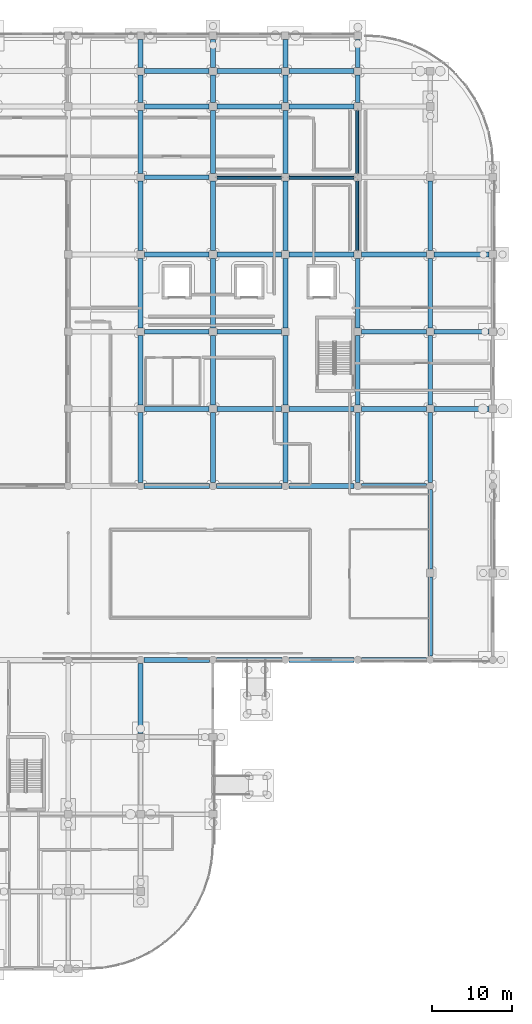
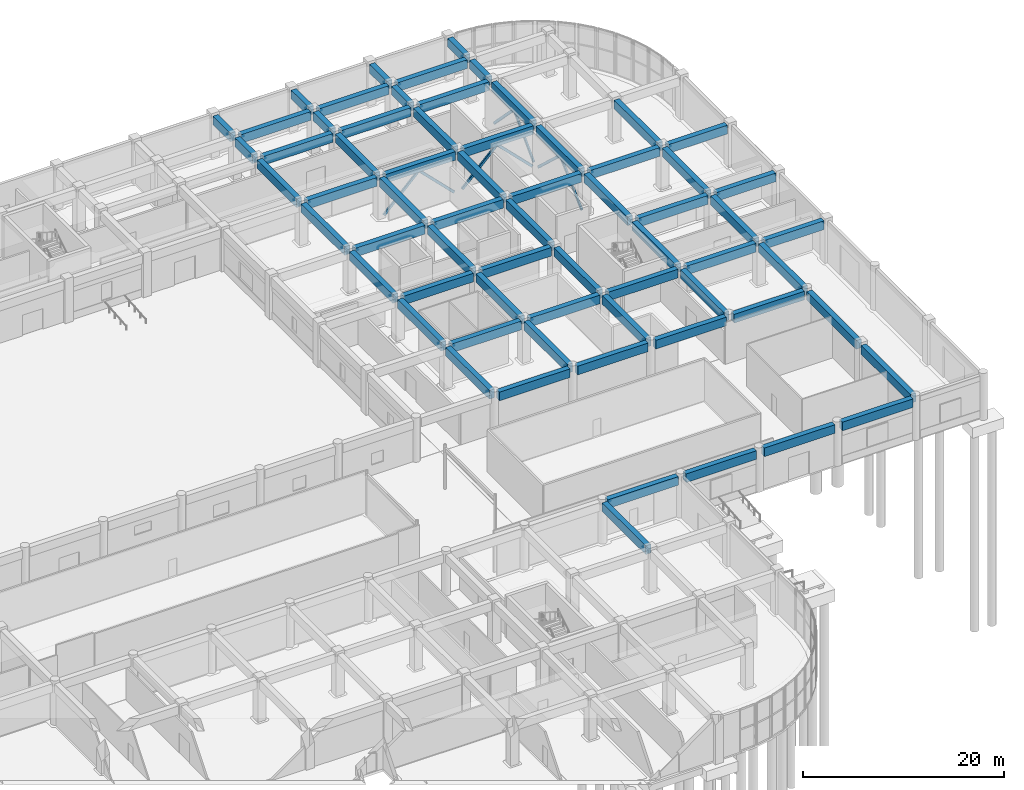
# One storey, part 17 of 74: 66 beams, 8 members.
"""IFC4 building model written with IfcOpenShell, lengths in metres."""

import ifcopenshell
import ifcopenshell.guid

model = None  # the IFC model being written
_history = None  # IfcOwnerHistory: only IFC2X3 demands one
_inside = {}  # id of a spatial element -> (the spatial element, [elements in it])
_under = {}  # id of a project, library or spatial element -> (it, [spatial elements below it])
_declared = {}  # id of a project -> (the project, [libraries it declares])
_typed = {}  # id of a type object -> (the type object, [elements of that type])
_made_of = {}  # id of a material, layer set ... -> (it, [elements and type objects made of it])


def new_model(schema):
    """Start an empty IFC model of exactly this schema.

    Asked for "IFC4X3", IfcOpenShell would pick the latest addendum, in which some entities
    have other attributes; the version numbers below select the first issue.
    IFC2X3 requires an IfcOwnerHistory on every rooted entity: one is made here for all.
    """
    global model, _history
    if schema == "IFC4X3":
        model = ifcopenshell.file(schema_version=(4, 3, 0, 0))
    else:
        model = ifcopenshell.file(schema=schema)
    _inside.clear()
    _under.clear()
    _declared.clear()
    _typed.clear()
    _made_of.clear()
    _history = None
    if model.schema == "IFC2X3":
        org = make("IfcOrganization", Name="unknown")
        user = make(
            "IfcPersonAndOrganization",
            ThePerson=make("IfcPerson", FamilyName="unknown"),
            TheOrganization=org,
        )
        app = make(
            "IfcApplication",
            ApplicationDeveloper=org,
            Version="unknown",
            ApplicationFullName="unknown",
            ApplicationIdentifier="unknown",
        )
        _history = make(
            "IfcOwnerHistory",
            OwningUser=user,
            OwningApplication=app,
            ChangeAction="ADDED",
            CreationDate=0,
        )
    return model


def make(cls, **values):
    """One entity of the class cls with the attributes given. An attribute that is None is left unset."""
    return model.create_entity(
        cls, **{name: value for name, value in values.items() if value is not None}
    )


def rooted(cls, **values):
    """An entity with a GlobalId (a new one), such as an element, a storey or a relation."""
    return make(cls, GlobalId=ifcopenshell.guid.new(), OwnerHistory=_history, **values)


def si_unit(unit_type, name, prefix=None):
    """IfcSIUnit, for example si_unit("LENGTHUNIT", "METRE", prefix="MILLI")."""
    return make("IfcSIUnit", UnitType=unit_type, Prefix=prefix, Name=name)


def assignment(units):
    """IfcUnitAssignment: the units of a project."""
    return None if units is None else make("IfcUnitAssignment", Units=units)


def point(xyz):
    """IfcCartesianPoint."""
    return None if xyz is None else make("IfcCartesianPoint", Coordinates=xyz)


def direction(xyz):
    """IfcDirection."""
    return None if xyz is None else make("IfcDirection", DirectionRatios=xyz)


def frame(location, z_axis=None, x_axis=None):
    """IfcAxis2Placement3D, a coordinate frame: its origin and axes. An axis left out is left unset."""
    return make(
        "IfcAxis2Placement3D",
        Location=point(location),
        Axis=direction(z_axis),
        RefDirection=direction(x_axis),
    )


def frame_2d(location, x_axis=None):
    """IfcAxis2Placement2D, a coordinate frame in the plane: its origin and x axis."""
    return make(
        "IfcAxis2Placement2D", Location=point(location), RefDirection=direction(x_axis)
    )


def origin():
    """The frame at (0, 0, 0) with its axes left unset."""
    return frame((0.0, 0.0, 0.0))


def origin_2d():
    """The frame at (0, 0) in the plane with its x axis left unset."""
    return frame_2d((0.0, 0.0))


def place(relative_to, where):
    """IfcLocalPlacement: puts the frame where relative to a parent placement (None: the world)."""
    return make(
        "IfcLocalPlacement", PlacementRelTo=relative_to, RelativePlacement=where
    )


def context(
    kind, dimensions, precision=None, world=None, true_north=None, identifier=None
):
    """IfcGeometricRepresentationContext, for example the 3D "Model" context."""
    return make(
        "IfcGeometricRepresentationContext",
        ContextIdentifier=identifier,
        ContextType=kind,
        CoordinateSpaceDimension=dimensions,
        Precision=precision,
        WorldCoordinateSystem=world,
        TrueNorth=true_north,
    )


def subcontext(parent, identifier, kind, view, scale=None):
    """IfcGeometricRepresentationSubContext, for example "Body" below "Model"."""
    return make(
        "IfcGeometricRepresentationSubContext",
        ContextIdentifier=identifier,
        ContextType=kind,
        ParentContext=parent,
        TargetScale=scale,
        TargetView=view,
    )


def project(units=None, contexts=None):
    """IfcProject with its units and contexts."""
    return rooted(
        "IfcProject",
        Name="project",
        RepresentationContexts=contexts,
        UnitsInContext=assignment(units),
    )


def spatial(cls, under=None, at=None, **own):
    """A site, building, storey or space (cls), placed at a placement, below another one or the project."""
    s = rooted(cls, ObjectPlacement=at, **own)
    if under is not None:
        _under.setdefault(under.id(), (under, []))[1].append(s)
    return s


def profile(cls, at=None, kind="AREA", **sizes):
    """A parametric profile (cls). Its sizes go by their IFC names, for example OverallWidth=200.0."""
    return make(cls, ProfileType=kind, Position=at, **sizes)


def rectangle(**sizes):
    """IfcRectangleProfileDef."""
    return profile("IfcRectangleProfileDef", **sizes)


def hollow_rectangle(**sizes):
    """IfcRectangleHollowProfileDef."""
    return profile("IfcRectangleHollowProfileDef", **sizes)


def extrude(swept, where, along, depth):
    """IfcExtrudedAreaSolid: the profile swept, set in the frame where, extruded along a direction by depth."""
    return make(
        "IfcExtrudedAreaSolid",
        SweptArea=swept,
        Position=where,
        ExtrudedDirection=direction(along),
        Depth=depth,
    )


def shape(context_of_items, identifier, shape_type, items):
    """IfcShapeRepresentation: the items that make up one representation, for example the "Body"."""
    return make(
        "IfcShapeRepresentation",
        ContextOfItems=context_of_items,
        RepresentationIdentifier=identifier,
        RepresentationType=shape_type,
        Items=items,
    )


def material(Name=None, Category=None):
    """IfcMaterial."""
    return make("IfcMaterial", Name=Name, Category=Category)


def material_profile(
    of_material, cross_section, Name=None, Category=None, Priority=None
):
    """IfcMaterialProfile: a cross section and its material."""
    return make(
        "IfcMaterialProfile",
        Name=Name,
        Material=of_material,
        Profile=cross_section,
        Priority=Priority,
        Category=Category,
    )


def profile_set(profiles, Name=None, composite=None):
    """IfcMaterialProfileSet."""
    return make(
        "IfcMaterialProfileSet",
        Name=Name,
        MaterialProfiles=profiles,
        CompositeProfile=composite,
    )


def made_of(thing, what):
    """Note that an element or type object is made of a material, layer set ...; save() writes the relation."""
    if what is not None:
        _made_of.setdefault(what.id(), (what, []))[1].append(thing)
    return thing


def type_object(cls, material=None, **own):
    """A type object (cls), such as IfcWallType, which elements share."""
    return made_of(rooted(cls, **own), material)


def element(
    cls,
    number,
    at=None,
    inside=None,
    cuts=None,
    type_object=None,
    material=None,
    context=None,
    identifier="Body",
    shape_type=None,
    held_by="IfcProductDefinitionShape",
    body=None,
    shapes=None,
    **own,
):
    """One element of the class cls, such as IfcWall. Its Tag is "e" and its number.

    at: its placement. inside: the storey or other place that contains it. cuts: it is an
    opening in that element (IfcRelVoidsElement). A single representation is given by context,
    identifier, shape_type and body (its items); several are given by shapes. held_by: the class
    of the entity that holds the representations. save() writes the other relations.
    """
    e = rooted(cls, Tag="e%d" % number, ObjectPlacement=at, **own)
    if body is not None:
        shapes = [shape(context, identifier, shape_type, body)]
    if shapes is not None:
        e.Representation = make(held_by, Representations=shapes)
    if inside is not None:
        _inside.setdefault(inside.id(), (inside, []))[1].append(e)
    if cuts is not None:
        rooted(
            "IfcRelVoidsElement", RelatingBuildingElement=cuts, RelatedOpeningElement=e
        )
    if type_object is not None:
        _typed.setdefault(type_object.id(), (type_object, []))[1].append(e)
    return made_of(e, material)


def aggregate(whole, parts):
    """IfcRelAggregates: a whole, such as a stair, and the parts it consists of."""
    return rooted("IfcRelAggregates", RelatingObject=whole, RelatedObjects=parts)


def save(model, path):
    """Write the relations noted so far, then the file.

    IfcRelAggregates (storeys below a building ...), IfcRelContainedInSpatialStructure (elements
    in a storey), IfcRelDefinesByType, IfcRelAssociatesMaterial and IfcRelDeclares: one each for
    every whole, place, type object, material and project.
    """
    for whole, parts in _under.values():
        aggregate(whole, parts)
    for where, things in _inside.values():
        rooted(
            "IfcRelContainedInSpatialStructure",
            RelatedElements=things,
            RelatingStructure=where,
        )
    for kind, things in _typed.values():
        rooted("IfcRelDefinesByType", RelatedObjects=things, RelatingType=kind)
    for what, things in _made_of.values():
        rooted("IfcRelAssociatesMaterial", RelatedObjects=things, RelatingMaterial=what)
    for by, libraries in _declared.values():
        rooted("IfcRelDeclares", RelatingContext=by, RelatedDefinitions=libraries)
    model.write(path)


model = new_model("IFC4")

# Units and contexts
model_context = context("Model", 3, precision=1e-05, world=origin(), true_north=direction((0.0, 1.0)))
body_context = subcontext(model_context, "Body", "Model", "MODEL_VIEW")
ifc_project = project(units=[si_unit("LENGTHUNIT", "METRE"), si_unit("AREAUNIT", "SQUARE_METRE"), si_unit("VOLUMEUNIT", "CUBIC_METRE"), si_unit("PLANEANGLEUNIT", "RADIAN"), si_unit("MASSUNIT", "GRAM", prefix="KILO")], contexts=[model_context])

# Site, building, storey
site_placement = place(None, origin())
site = spatial("IfcSite", under=ifc_project, at=site_placement, CompositionType="ELEMENT")
building_placement = place(site_placement, origin())
building = spatial("IfcBuilding", under=site, at=building_placement, Name="Cendralis Terraced Arcade", CompositionType="ELEMENT")
storey_placement = place(building_placement, origin())
storey = spatial("IfcBuildingStorey", under=building, at=storey_placement, Name="L00", CompositionType="ELEMENT", Elevation=0.0)

# Beams
ifc_material_1 = material(Name="Concrete f'c 35 MPa", Category="concrete")
ifc_material_profile_1 = material_profile(ifc_material_1, rectangle(XDim=0.60009765625, YDim=1.050048828125, at=origin_2d()), Name="RC-BM-600x1050", Category="LoadBearing")
ifc_profile_set_1 = profile_set([ifc_material_profile_1], Name="Concrete f'c 35 MPa")
beam_type = type_object("IfcBeamType", Name="BM-600x1050", PredefinedType="JOIST", material=ifc_profile_set_1)
for number, where, z_axis, x_axis, name in (
    (1, (130.64990234375, 38.39990234375, 4.56494140625), (1.0, 0.0, 0.0), (0.0, 1.0, 0.0), "Reinforced Concrete Frame Beam BM-X-L01-E-15_16"),
    (2, (139.64990234375, 38.39990234375, 4.56494140625), (1.0, 0.0, 0.0), (0.0, 1.0, 0.0), "Reinforced Concrete Frame Beam BM-X-L01-E-16_17"),
    (3, (148.64990234375, 38.39990234375, 4.56494140625), (1.0, 0.0, 0.0), (0.0, 1.0, 0.0), "Reinforced Concrete Frame Beam BM-X-L01-E-17_18"),
    (4, (157.64990234375, 38.39990234375, 4.56494140625), (1.0, 0.0, 0.0), (0.0, 1.0, 0.0), "Reinforced Concrete Frame Beam BM-X-L01-E-18_19"),
    (5, (130.64990234375, 60.0, 4.56494140625), (1.0, 0.0, 0.0), (0.0, 1.0, 0.0), "Reinforced Concrete Frame Beam BM-X-L01-G-15_16"),
    (6, (139.64990234375, 60.0, 4.56494140625), (1.0, 0.0, 0.0), (0.0, 1.0, 0.0), "Reinforced Concrete Frame Beam BM-X-L01-G-16_17"),
    (7, (148.64990234375, 60.0, 4.56494140625), (1.0, 0.0, 0.0), (0.0, 1.0, 0.0), "Reinforced Concrete Frame Beam BM-X-L01-G-17_18"),
    (8, (157.64990234375, 60.0, 4.56494140625), (1.0, 0.0, 0.0), (0.0, 1.0, 0.0), "Reinforced Concrete Frame Beam BM-X-L01-G-18_19"),
):
    element("IfcBeam", number, at=place(storey_placement, frame(where, z_axis=z_axis, x_axis=x_axis)), inside=storey, type_object=beam_type, Name=name, PredefinedType="JOIST", context=body_context, shape_type="SweptSolid", body=[
        extrude(rectangle(XDim=0.60009765625, YDim=1.050048828125, at=origin_2d()), origin(), (0.0, 0.0, 1.0), 8.10009765625),
    ])
for number, where, z_axis, x_axis, name in (
    (9, (130.675048828125, 69.60009765625, 4.56494140625), (1.0, 0.0, 0.0), (0.0, 1.0, 0.0), "Reinforced Concrete Frame Beam BM-X-L01-H-15_16"),
    (10, (139.675048828125, 69.60009765625, 4.56494140625), (1.0, 0.0, 0.0), (0.0, 1.0, 0.0), "Reinforced Concrete Frame Beam BM-X-L01-H-16_17"),
    (11, (148.675048828125, 69.60009765625, 4.56494140625), (1.0, 0.0, 0.0), (0.0, 1.0, 0.0), "Reinforced Concrete Frame Beam BM-X-L01-H-17_18"),
    (12, (157.675048828125, 69.60009765625, 4.56494140625), (1.0, 0.0, 0.0), (0.0, 1.0, 0.0), "Reinforced Concrete Frame Beam BM-X-L01-H-18_19"),
):
    element("IfcBeam", number, at=place(storey_placement, frame(where, z_axis=z_axis, x_axis=x_axis)), inside=storey, type_object=beam_type, Name=name, PredefinedType="JOIST", context=body_context, shape_type="SweptSolid", body=[
        extrude(rectangle(XDim=0.60009765625, YDim=1.050048828125, at=origin_2d()), origin(), (0.0, 0.0, 1.0), 8.050048828125),
    ])
beam_1_placement = place(storey_placement, frame((166.675048828125, 69.60009765625, 4.56494140625), z_axis=(1.0, 0.0, 0.0), x_axis=(0.0, 1.0, 0.0)))
element("IfcBeam", 13, at=beam_1_placement, inside=storey, type_object=beam_type, Name="Reinforced Concrete Frame Beam BM-X-L01-H-19_20", PredefinedType="JOIST", context=body_context, shape_type="SweptSolid", body=[
    extrude(rectangle(XDim=0.60009765625, YDim=1.050048828125, at=origin_2d()), origin(), (0.0, 0.0, 1.0), 6.849853515625),
])
for number, where, z_axis, x_axis, name in (
    (14, (130.675048828125, 79.199951171875, 4.56494140625), (1.0, 0.0, 0.0), (0.0, 1.0, 0.0), "Reinforced Concrete Frame Beam BM-X-L01-J-15_16"),
    (15, (139.675048828125, 79.199951171875, 4.56494140625), (1.0, 0.0, 0.0), (0.0, 1.0, 0.0), "Reinforced Concrete Frame Beam BM-X-L01-J-16_17"),
    (16, (157.675048828125, 79.199951171875, 4.56494140625), (1.0, 0.0, 0.0), (0.0, 1.0, 0.0), "Reinforced Concrete Frame Beam BM-X-L01-J-18_19"),
):
    element("IfcBeam", number, at=place(storey_placement, frame(where, z_axis=z_axis, x_axis=x_axis)), inside=storey, type_object=beam_type, Name=name, PredefinedType="JOIST", context=body_context, shape_type="SweptSolid", body=[
        extrude(rectangle(XDim=0.60009765625, YDim=1.050048828125, at=origin_2d()), origin(), (0.0, 0.0, 1.0), 8.050048828125),
    ])
beam_2_placement = place(storey_placement, frame((166.675048828125, 79.199951171875, 4.56494140625), z_axis=(1.0, 0.0, 0.0), x_axis=(0.0, 1.0, 0.0)))
element("IfcBeam", 17, at=beam_2_placement, inside=storey, type_object=beam_type, Name="Reinforced Concrete Frame Beam BM-X-L01-J-19_20", PredefinedType="JOIST", context=body_context, shape_type="SweptSolid", body=[
    extrude(rectangle(XDim=0.60009765625, YDim=1.050048828125, at=origin_2d()), origin(), (0.0, 0.0, 1.0), 6.849853515625),
])
for number, where, z_axis, x_axis, name in (
    (18, (130.675048828125, 88.800048828125, 4.56494140625), (1.0, 0.0, 0.0), (0.0, 1.0, 0.0), "Reinforced Concrete Frame Beam BM-X-L01-K-15_16"),
    (19, (139.675048828125, 88.800048828125, 4.56494140625), (1.0, 0.0, 0.0), (0.0, 1.0, 0.0), "Reinforced Concrete Frame Beam BM-X-L01-K-16_17"),
    (20, (148.675048828125, 88.800048828125, 4.56494140625), (1.0, 0.0, 0.0), (0.0, 1.0, 0.0), "Reinforced Concrete Frame Beam BM-X-L01-K-17_18"),
    (21, (157.675048828125, 88.800048828125, 4.56494140625), (1.0, 0.0, 0.0), (0.0, 1.0, 0.0), "Reinforced Concrete Frame Beam BM-X-L01-K-18_19"),
):
    element("IfcBeam", number, at=place(storey_placement, frame(where, z_axis=z_axis, x_axis=x_axis)), inside=storey, type_object=beam_type, Name=name, PredefinedType="JOIST", context=body_context, shape_type="SweptSolid", body=[
        extrude(rectangle(XDim=0.60009765625, YDim=1.050048828125, at=origin_2d()), origin(), (0.0, 0.0, 1.0), 8.050048828125),
    ])
beam_3_placement = place(storey_placement, frame((166.675048828125, 88.800048828125, 4.56494140625), z_axis=(1.0, 0.0, 0.0), x_axis=(0.0, 1.0, 0.0)))
element("IfcBeam", 22, at=beam_3_placement, inside=storey, type_object=beam_type, Name="Reinforced Concrete Frame Beam BM-X-L01-K-19_20", PredefinedType="JOIST", context=body_context, shape_type="SweptSolid", body=[
    extrude(rectangle(XDim=0.60009765625, YDim=1.050048828125, at=origin_2d()), origin(), (0.0, 0.0, 1.0), 6.849853515625),
])
for number, where, z_axis, x_axis, name in (
    (23, (130.675048828125, 98.39990234375, 4.56494140625), (1.0, 0.0, 0.0), (0.0, 1.0, 0.0), "Reinforced Concrete Frame Beam BM-X-L01-L-15_16"),
    (24, (139.675048828125, 98.39990234375, 4.56494140625), (1.0, 0.0, 0.0), (0.0, 1.0, 0.0), "Reinforced Concrete Frame Beam BM-X-L01-L-16_17"),
    (25, (148.675048828125, 98.39990234375, 4.56494140625), (1.0, 0.0, 0.0), (0.0, 1.0, 0.0), "Reinforced Concrete Frame Beam BM-X-L01-L-17_18"),
    (26, (130.675048828125, 107.199951171875, 4.56494140625), (1.0, 0.0, 0.0), (0.0, 1.0, 0.0), "Reinforced Concrete Frame Beam BM-X-L01-M-15_16"),
    (27, (139.675048828125, 107.199951171875, 4.56494140625), (1.0, 0.0, 0.0), (0.0, 1.0, 0.0), "Reinforced Concrete Frame Beam BM-X-L01-M-16_17"),
    (28, (148.675048828125, 107.199951171875, 4.56494140625), (1.0, 0.0, 0.0), (0.0, 1.0, 0.0), "Reinforced Concrete Frame Beam BM-X-L01-M-17_18"),
    (29, (130.675048828125, 111.60009765625, 4.56494140625), (1.0, 0.0, 0.0), (0.0, 1.0, 0.0), "Reinforced Concrete Frame Beam BM-X-L01-N-15_16"),
    (30, (139.675048828125, 111.60009765625, 4.56494140625), (1.0, 0.0, 0.0), (0.0, 1.0, 0.0), "Reinforced Concrete Frame Beam BM-X-L01-N-16_17"),
    (31, (148.675048828125, 111.60009765625, 4.56494140625), (1.0, 0.0, 0.0), (0.0, 1.0, 0.0), "Reinforced Concrete Frame Beam BM-X-L01-N-17_18"),
):
    element("IfcBeam", number, at=place(storey_placement, frame(where, z_axis=z_axis, x_axis=x_axis)), inside=storey, type_object=beam_type, Name=name, PredefinedType="JOIST", context=body_context, shape_type="SweptSolid", body=[
        extrude(rectangle(XDim=0.60009765625, YDim=1.050048828125, at=origin_2d()), origin(), (0.0, 0.0, 1.0), 8.050048828125),
    ])
for number, where, z_axis, x_axis, name in (
    (32, (130.199951171875, 29.27490234375, 4.56494140625), (0.0, 1.0, 0.0), (-1.0, 0.0, 0.0), "Reinforced Concrete Frame Beam BM-Y-L01-15-D_E"),
    (33, (130.199951171875, 60.449951171875, 4.56494140625), (0.0, 1.0, 0.0), (-1.0, 0.0, 0.0), "Reinforced Concrete Frame Beam BM-Y-L01-15-G_H"),
):
    element("IfcBeam", number, at=place(storey_placement, frame(where, z_axis=z_axis, x_axis=x_axis)), inside=storey, type_object=beam_type, Name=name, PredefinedType="JOIST", context=body_context, shape_type="SweptSolid", body=[
        extrude(rectangle(XDim=0.60009765625, YDim=1.050048828125, at=origin_2d()), origin(), (0.0, 0.0, 1.0), 8.675048828125),
    ])
beam_4_placement = place(storey_placement, frame((130.199951171875, 70.074951171875, 4.56494140625), z_axis=(0.0, 1.0, 0.0), x_axis=(-1.0, 0.0, 0.0)))
element("IfcBeam", 34, at=beam_4_placement, inside=storey, type_object=beam_type, Name="Reinforced Concrete Frame Beam BM-Y-L01-15-H_J", PredefinedType="JOIST", context=body_context, shape_type="SweptSolid", body=[
    extrude(rectangle(XDim=0.60009765625, YDim=1.050048828125, at=origin_2d()), origin(), (0.0, 0.0, 1.0), 8.650146484375),
])
beam_5_placement = place(storey_placement, frame((130.199951171875, 79.675048828125, 4.56494140625), z_axis=(0.0, 1.0, 0.0), x_axis=(-1.0, 0.0, 0.0)))
element("IfcBeam", 35, at=beam_5_placement, inside=storey, type_object=beam_type, Name="Reinforced Concrete Frame Beam BM-Y-L01-15-J_K", PredefinedType="JOIST", context=body_context, shape_type="SweptSolid", body=[
    extrude(rectangle(XDim=0.60009765625, YDim=1.050048828125, at=origin_2d()), origin(), (0.0, 0.0, 1.0), 8.64990234375),
])
beam_6_placement = place(storey_placement, frame((130.199951171875, 89.27490234375, 4.56494140625), z_axis=(0.0, 1.0, 0.0), x_axis=(-1.0, 0.0, 0.0)))
element("IfcBeam", 36, at=beam_6_placement, inside=storey, type_object=beam_type, Name="Reinforced Concrete Frame Beam BM-Y-L01-15-K_L", PredefinedType="JOIST", context=body_context, shape_type="SweptSolid", body=[
    extrude(rectangle(XDim=0.60009765625, YDim=1.050048828125, at=origin_2d()), origin(), (0.0, 0.0, 1.0), 8.650146484375),
])
beam_7_placement = place(storey_placement, frame((130.199951171875, 98.875, 4.56494140625), z_axis=(0.0, 1.0, 0.0), x_axis=(-1.0, 0.0, 0.0)))
element("IfcBeam", 37, at=beam_7_placement, inside=storey, type_object=beam_type, Name="Reinforced Concrete Frame Beam BM-Y-L01-15-L_M", PredefinedType="JOIST", context=body_context, shape_type="SweptSolid", body=[
    extrude(rectangle(XDim=0.60009765625, YDim=1.050048828125, at=origin_2d()), origin(), (0.0, 0.0, 1.0), 7.85009765625),
])
for number, where, z_axis, x_axis, name in (
    (38, (130.199951171875, 107.675048828125, 4.56494140625), (0.0, 1.0, 0.0), (-1.0, 0.0, 0.0), "Reinforced Concrete Frame Beam BM-Y-L01-15-M_N"),
    (39, (130.199951171875, 112.074951171875, 4.56494140625), (0.0, 1.0, 0.0), (-1.0, 0.0, 0.0), "Reinforced Concrete Frame Beam BM-Y-L01-15-N_P"),
):
    element("IfcBeam", number, at=place(storey_placement, frame(where, z_axis=z_axis, x_axis=x_axis)), inside=storey, type_object=beam_type, Name=name, PredefinedType="JOIST", context=body_context, shape_type="SweptSolid", body=[
        extrude(rectangle(XDim=0.60009765625, YDim=1.050048828125, at=origin_2d()), origin(), (0.0, 0.0, 1.0), 3.449951171875),
    ])
beam_8_placement = place(storey_placement, frame((139.199951171875, 60.449951171875, 4.56494140625), z_axis=(0.0, 1.0, 0.0), x_axis=(-1.0, 0.0, 0.0)))
element("IfcBeam", 40, at=beam_8_placement, inside=storey, type_object=beam_type, Name="Reinforced Concrete Frame Beam BM-Y-L01-16-G_H", PredefinedType="JOIST", context=body_context, shape_type="SweptSolid", body=[
    extrude(rectangle(XDim=0.60009765625, YDim=1.050048828125, at=origin_2d()), origin(), (0.0, 0.0, 1.0), 8.675048828125),
])
beam_9_placement = place(storey_placement, frame((139.199951171875, 70.074951171875, 4.56494140625), z_axis=(0.0, 1.0, 0.0), x_axis=(-1.0, 0.0, 0.0)))
element("IfcBeam", 41, at=beam_9_placement, inside=storey, type_object=beam_type, Name="Reinforced Concrete Frame Beam BM-Y-L01-16-H_J", PredefinedType="JOIST", context=body_context, shape_type="SweptSolid", body=[
    extrude(rectangle(XDim=0.60009765625, YDim=1.050048828125, at=origin_2d()), origin(), (0.0, 0.0, 1.0), 8.650146484375),
])
beam_10_placement = place(storey_placement, frame((139.199951171875, 79.675048828125, 4.56494140625), z_axis=(0.0, 1.0, 0.0), x_axis=(-1.0, 0.0, 0.0)))
element("IfcBeam", 42, at=beam_10_placement, inside=storey, type_object=beam_type, Name="Reinforced Concrete Frame Beam BM-Y-L01-16-J_K", PredefinedType="JOIST", context=body_context, shape_type="SweptSolid", body=[
    extrude(rectangle(XDim=0.60009765625, YDim=1.050048828125, at=origin_2d()), origin(), (0.0, 0.0, 1.0), 8.64990234375),
])
beam_11_placement = place(storey_placement, frame((139.199951171875, 89.27490234375, 4.56494140625), z_axis=(0.0, 1.0, 0.0), x_axis=(-1.0, 0.0, 0.0)))
element("IfcBeam", 43, at=beam_11_placement, inside=storey, type_object=beam_type, Name="Reinforced Concrete Frame Beam BM-Y-L01-16-K_L", PredefinedType="JOIST", context=body_context, shape_type="SweptSolid", body=[
    extrude(rectangle(XDim=0.60009765625, YDim=1.050048828125, at=origin_2d()), origin(), (0.0, 0.0, 1.0), 8.650146484375),
])
beam_12_placement = place(storey_placement, frame((139.199951171875, 98.875, 4.56494140625), z_axis=(0.0, 1.0, 0.0), x_axis=(-1.0, 0.0, 0.0)))
element("IfcBeam", 44, at=beam_12_placement, inside=storey, type_object=beam_type, Name="Reinforced Concrete Frame Beam BM-Y-L01-16-L_M", PredefinedType="JOIST", context=body_context, shape_type="SweptSolid", body=[
    extrude(rectangle(XDim=0.60009765625, YDim=1.050048828125, at=origin_2d()), origin(), (0.0, 0.0, 1.0), 7.85009765625),
])
for number, where, z_axis, x_axis, name in (
    (45, (139.199951171875, 107.675048828125, 4.56494140625), (0.0, 1.0, 0.0), (-1.0, 0.0, 0.0), "Reinforced Concrete Frame Beam BM-Y-L01-16-M_N"),
    (46, (139.199951171875, 112.074951171875, 4.56494140625), (0.0, 1.0, 0.0), (-1.0, 0.0, 0.0), "Reinforced Concrete Frame Beam BM-Y-L01-16-N_P"),
):
    element("IfcBeam", number, at=place(storey_placement, frame(where, z_axis=z_axis, x_axis=x_axis)), inside=storey, type_object=beam_type, Name=name, PredefinedType="JOIST", context=body_context, shape_type="SweptSolid", body=[
        extrude(rectangle(XDim=0.60009765625, YDim=1.050048828125, at=origin_2d()), origin(), (0.0, 0.0, 1.0), 3.449951171875),
    ])
beam_13_placement = place(storey_placement, frame((148.199951171875, 60.449951171875, 4.56494140625), z_axis=(0.0, 1.0, 0.0), x_axis=(-1.0, 0.0, 0.0)))
element("IfcBeam", 47, at=beam_13_placement, inside=storey, type_object=beam_type, Name="Reinforced Concrete Frame Beam BM-Y-L01-17-G_H", PredefinedType="JOIST", context=body_context, shape_type="SweptSolid", body=[
    extrude(rectangle(XDim=0.60009765625, YDim=1.050048828125, at=origin_2d()), origin(), (0.0, 0.0, 1.0), 8.675048828125),
])
beam_14_placement = place(storey_placement, frame((148.199951171875, 70.074951171875, 4.56494140625), z_axis=(0.0, 1.0, 0.0), x_axis=(-1.0, 0.0, 0.0)))
element("IfcBeam", 48, at=beam_14_placement, inside=storey, type_object=beam_type, Name="Reinforced Concrete Frame Beam BM-Y-L01-17-H_J", PredefinedType="JOIST", context=body_context, shape_type="SweptSolid", body=[
    extrude(rectangle(XDim=0.60009765625, YDim=1.050048828125, at=origin_2d()), origin(), (0.0, 0.0, 1.0), 8.650146484375),
])
beam_15_placement = place(storey_placement, frame((148.199951171875, 79.675048828125, 4.56494140625), z_axis=(0.0, 1.0, 0.0), x_axis=(-1.0, 0.0, 0.0)))
element("IfcBeam", 49, at=beam_15_placement, inside=storey, type_object=beam_type, Name="Reinforced Concrete Frame Beam BM-Y-L01-17-J_K", PredefinedType="JOIST", context=body_context, shape_type="SweptSolid", body=[
    extrude(rectangle(XDim=0.60009765625, YDim=1.050048828125, at=origin_2d()), origin(), (0.0, 0.0, 1.0), 8.64990234375),
])
beam_16_placement = place(storey_placement, frame((148.199951171875, 89.27490234375, 4.56494140625), z_axis=(0.0, 1.0, 0.0), x_axis=(-1.0, 0.0, 0.0)))
element("IfcBeam", 50, at=beam_16_placement, inside=storey, type_object=beam_type, Name="Reinforced Concrete Frame Beam BM-Y-L01-17-K_L", PredefinedType="JOIST", context=body_context, shape_type="SweptSolid", body=[
    extrude(rectangle(XDim=0.60009765625, YDim=1.050048828125, at=origin_2d()), origin(), (0.0, 0.0, 1.0), 8.650146484375),
])
beam_17_placement = place(storey_placement, frame((148.199951171875, 98.875, 4.56494140625), z_axis=(0.0, 1.0, 0.0), x_axis=(-1.0, 0.0, 0.0)))
element("IfcBeam", 51, at=beam_17_placement, inside=storey, type_object=beam_type, Name="Reinforced Concrete Frame Beam BM-Y-L01-17-L_M", PredefinedType="JOIST", context=body_context, shape_type="SweptSolid", body=[
    extrude(rectangle(XDim=0.60009765625, YDim=1.050048828125, at=origin_2d()), origin(), (0.0, 0.0, 1.0), 7.85009765625),
])
for number, where, z_axis, x_axis, name in (
    (52, (148.199951171875, 107.675048828125, 4.56494140625), (0.0, 1.0, 0.0), (-1.0, 0.0, 0.0), "Reinforced Concrete Frame Beam BM-Y-L01-17-M_N"),
    (53, (148.199951171875, 112.074951171875, 4.56494140625), (0.0, 1.0, 0.0), (-1.0, 0.0, 0.0), "Reinforced Concrete Frame Beam BM-Y-L01-17-N_P"),
):
    element("IfcBeam", number, at=place(storey_placement, frame(where, z_axis=z_axis, x_axis=x_axis)), inside=storey, type_object=beam_type, Name=name, PredefinedType="JOIST", context=body_context, shape_type="SweptSolid", body=[
        extrude(rectangle(XDim=0.60009765625, YDim=1.050048828125, at=origin_2d()), origin(), (0.0, 0.0, 1.0), 3.449951171875),
    ])
beam_18_placement = place(storey_placement, frame((157.199951171875, 60.449951171875, 4.56494140625), z_axis=(0.0, 1.0, 0.0), x_axis=(-1.0, 0.0, 0.0)))
element("IfcBeam", 54, at=beam_18_placement, inside=storey, type_object=beam_type, Name="Reinforced Concrete Frame Beam BM-Y-L01-18-G_H", PredefinedType="JOIST", context=body_context, shape_type="SweptSolid", body=[
    extrude(rectangle(XDim=0.60009765625, YDim=1.050048828125, at=origin_2d()), origin(), (0.0, 0.0, 1.0), 8.675048828125),
])
beam_19_placement = place(storey_placement, frame((157.199951171875, 70.074951171875, 4.56494140625), z_axis=(0.0, 1.0, 0.0), x_axis=(-1.0, 0.0, 0.0)))
element("IfcBeam", 55, at=beam_19_placement, inside=storey, type_object=beam_type, Name="Reinforced Concrete Frame Beam BM-Y-L01-18-H_J", PredefinedType="JOIST", context=body_context, shape_type="SweptSolid", body=[
    extrude(rectangle(XDim=0.60009765625, YDim=1.050048828125, at=origin_2d()), origin(), (0.0, 0.0, 1.0), 8.650146484375),
])
beam_20_placement = place(storey_placement, frame((157.199951171875, 79.675048828125, 4.56494140625), z_axis=(0.0, 1.0, 0.0), x_axis=(-1.0, 0.0, 0.0)))
element("IfcBeam", 56, at=beam_20_placement, inside=storey, type_object=beam_type, Name="Reinforced Concrete Frame Beam BM-Y-L01-18-J_K", PredefinedType="JOIST", context=body_context, shape_type="SweptSolid", body=[
    extrude(rectangle(XDim=0.60009765625, YDim=1.050048828125, at=origin_2d()), origin(), (0.0, 0.0, 1.0), 8.64990234375),
])
beam_21_placement = place(storey_placement, frame((157.199951171875, 89.27490234375, 4.56494140625), z_axis=(0.0, 1.0, 0.0), x_axis=(-1.0, 0.0, 0.0)))
element("IfcBeam", 57, at=beam_21_placement, inside=storey, type_object=beam_type, Name="Reinforced Concrete Frame Beam BM-Y-L01-18-K_L", PredefinedType="JOIST", context=body_context, shape_type="SweptSolid", body=[
    extrude(rectangle(XDim=0.60009765625, YDim=1.050048828125, at=origin_2d()), origin(), (0.0, 0.0, 1.0), 8.650146484375),
])
beam_22_placement = place(storey_placement, frame((157.199951171875, 98.875, 4.56494140625), z_axis=(0.0, 1.0, 0.0), x_axis=(-1.0, 0.0, 0.0)))
element("IfcBeam", 58, at=beam_22_placement, inside=storey, type_object=beam_type, Name="Reinforced Concrete Frame Beam BM-Y-L01-18-L_M", PredefinedType="JOIST", context=body_context, shape_type="SweptSolid", body=[
    extrude(rectangle(XDim=0.60009765625, YDim=1.050048828125, at=origin_2d()), origin(), (0.0, 0.0, 1.0), 7.85009765625),
])
for number, where, z_axis, x_axis, name in (
    (59, (157.199951171875, 107.675048828125, 4.56494140625), (0.0, 1.0, 0.0), (-1.0, 0.0, 0.0), "Reinforced Concrete Frame Beam BM-Y-L01-18-M_N"),
    (60, (157.199951171875, 112.074951171875, 4.56494140625), (0.0, 1.0, 0.0), (-1.0, 0.0, 0.0), "Reinforced Concrete Frame Beam BM-Y-L01-18-N_P"),
):
    element("IfcBeam", number, at=place(storey_placement, frame(where, z_axis=z_axis, x_axis=x_axis)), inside=storey, type_object=beam_type, Name=name, PredefinedType="JOIST", context=body_context, shape_type="SweptSolid", body=[
        extrude(rectangle(XDim=0.60009765625, YDim=1.050048828125, at=origin_2d()), origin(), (0.0, 0.0, 1.0), 3.449951171875),
    ])
for number, where, z_axis, x_axis, name in (
    (61, (166.199951171875, 38.85009765625, 4.56494140625), (0.0, 1.0, 0.0), (-1.0, 0.0, 0.0), "Reinforced Concrete Frame Beam BM-Y-L01-19-E_F"),
    (62, (166.199951171875, 49.675048828125, 4.56494140625), (0.0, 1.0, 0.0), (-1.0, 0.0, 0.0), "Reinforced Concrete Frame Beam BM-Y-L01-19-F_G"),
):
    element("IfcBeam", number, at=place(storey_placement, frame(where, z_axis=z_axis, x_axis=x_axis)), inside=storey, type_object=beam_type, Name=name, PredefinedType="JOIST", context=body_context, shape_type="SweptSolid", body=[
        extrude(rectangle(XDim=0.60009765625, YDim=1.050048828125, at=origin_2d()), origin(), (0.0, 0.0, 1.0), 9.875),
    ])
beam_23_placement = place(storey_placement, frame((166.199951171875, 60.449951171875, 4.56494140625), z_axis=(0.0, 1.0, 0.0), x_axis=(-1.0, 0.0, 0.0)))
element("IfcBeam", 63, at=beam_23_placement, inside=storey, type_object=beam_type, Name="Reinforced Concrete Frame Beam BM-Y-L01-19-G_H", PredefinedType="JOIST", context=body_context, shape_type="SweptSolid", body=[
    extrude(rectangle(XDim=0.60009765625, YDim=1.050048828125, at=origin_2d()), origin(), (0.0, 0.0, 1.0), 8.675048828125),
])
beam_24_placement = place(storey_placement, frame((166.199951171875, 70.074951171875, 4.56494140625), z_axis=(0.0, 1.0, 0.0), x_axis=(-1.0, 0.0, 0.0)))
element("IfcBeam", 64, at=beam_24_placement, inside=storey, type_object=beam_type, Name="Reinforced Concrete Frame Beam BM-Y-L01-19-H_J", PredefinedType="JOIST", context=body_context, shape_type="SweptSolid", body=[
    extrude(rectangle(XDim=0.60009765625, YDim=1.050048828125, at=origin_2d()), origin(), (0.0, 0.0, 1.0), 8.650146484375),
])
beam_25_placement = place(storey_placement, frame((166.199951171875, 79.675048828125, 4.56494140625), z_axis=(0.0, 1.0, 0.0), x_axis=(-1.0, 0.0, 0.0)))
element("IfcBeam", 65, at=beam_25_placement, inside=storey, type_object=beam_type, Name="Reinforced Concrete Frame Beam BM-Y-L01-19-J_K", PredefinedType="JOIST", context=body_context, shape_type="SweptSolid", body=[
    extrude(rectangle(XDim=0.60009765625, YDim=1.050048828125, at=origin_2d()), origin(), (0.0, 0.0, 1.0), 8.64990234375),
])
beam_26_placement = place(storey_placement, frame((166.199951171875, 89.27490234375, 4.56494140625), z_axis=(0.0, 1.0, 0.0), x_axis=(-1.0, 0.0, 0.0)))
element("IfcBeam", 66, at=beam_26_placement, inside=storey, type_object=beam_type, Name="Reinforced Concrete Frame Beam BM-Y-L01-19-K_L", PredefinedType="JOIST", context=body_context, shape_type="SweptSolid", body=[
    extrude(rectangle(XDim=0.60009765625, YDim=1.050048828125, at=origin_2d()), origin(), (0.0, 0.0, 1.0), 8.650146484375),
])

# Members
ifc_material_2 = material(Name="Steel ASTM A572 Grade 50", Category="steel")
ifc_material_profile_2 = material_profile(ifc_material_2, hollow_rectangle(XDim=0.199951171875, YDim=0.300048828125, WallThickness=0.011962890625, InnerFilletRadius=0.011962890625, OuterFilletRadius=0.02392578125, at=origin_2d()), Name="HSS300X200X12", Category="LoadBearing")
ifc_profile_set_2 = profile_set([ifc_material_profile_2], Name="Steel ASTM A572 Grade 50")
member_type = type_object("IfcMemberType", Name="MEM-BRC-HSS300", PredefinedType="BRACE", material=ifc_profile_set_2)
for number, where, z_axis, x_axis, name in (
    (67, (139.675048828125, 98.39990234375, 0.02001953125), (0.707535824683, 0.0, 0.706677477206), (0.0, 1.0, 0.0), "Chevron Steel Lateral Frame Brace BRC-L00-001"),
    (68, (147.72509765625, 98.39990234375, 0.02001953125), (-0.707557256345, 0.0, 0.706656018862), (0.0, -1.0, 0.0), "Chevron Steel Lateral Frame Brace BRC-L00-002"),
    (69, (148.675048828125, 98.39990234375, 0.02001953125), (0.707535824683, 0.0, 0.706677477206), (0.0, 1.0, 0.0), "Chevron Steel Lateral Frame Brace BRC-L00-009"),
    (70, (156.72509765625, 98.39990234375, 0.02001953125), (-0.707557256345, 0.0, 0.706656018862), (0.0, -1.0, 0.0), "Chevron Steel Lateral Frame Brace BRC-L00-010"),
):
    element("IfcMember", number, at=place(storey_placement, frame(where, z_axis=z_axis, x_axis=x_axis)), inside=storey, type_object=member_type, Name=name, PredefinedType="BRACE", context=body_context, shape_type="SweptSolid", body=[
        extrude(hollow_rectangle(XDim=0.199951171875, YDim=0.300048828125, WallThickness=0.011962890625, InnerFilletRadius=0.011962890625, OuterFilletRadius=0.02392578125, at=origin_2d()), origin(), (0.0, 0.0, 1.0), 5.688720703125),
    ])
for number, where, z_axis, x_axis, name in (
    (71, (157.199951171875, 89.27490234375, 0.02001953125), (0.0, 0.732475335074, 0.680793568939), (-1.0, 0.0, 0.0), "Chevron Steel Lateral Frame Brace BRC-L00-017"),
    (72, (157.199951171875, 97.925048828125, 0.02001953125), (0.0, -0.732456171436, 0.680814186783), (1.0, 0.0, 0.0), "Chevron Steel Lateral Frame Brace BRC-L00-018"),
):
    element("IfcMember", number, at=place(storey_placement, frame(where, z_axis=z_axis, x_axis=x_axis)), inside=storey, type_object=member_type, Name=name, PredefinedType="BRACE", context=body_context, shape_type="SweptSolid", body=[
        extrude(hollow_rectangle(XDim=0.199951171875, YDim=0.300048828125, WallThickness=0.011962890625, InnerFilletRadius=0.011962890625, OuterFilletRadius=0.02392578125, at=origin_2d()), origin(), (0.0, 0.0, 1.0), 5.90478515625),
    ])
for number, where, z_axis, x_axis, name in (
    (73, (157.199951171875, 98.875, 0.02001953125), (0.0, 0.69860453207, 0.715508006784), (-1.0, 0.0, 0.0), "Chevron Steel Lateral Frame Brace BRC-L00-025"),
    (74, (157.199951171875, 106.72509765625, 0.02001953125), (0.0, -0.69860453207, 0.715508006784), (1.0, 0.0, 0.0), "Chevron Steel Lateral Frame Brace BRC-L00-026"),
):
    element("IfcMember", number, at=place(storey_placement, frame(where, z_axis=z_axis, x_axis=x_axis)), inside=storey, type_object=member_type, Name=name, PredefinedType="BRACE", context=body_context, shape_type="SweptSolid", body=[
        extrude(hollow_rectangle(XDim=0.199951171875, YDim=0.300048828125, WallThickness=0.011962890625, InnerFilletRadius=0.011962890625, OuterFilletRadius=0.02392578125, at=origin_2d()), origin(), (0.0, 0.0, 1.0), 5.618408203125),
    ])

save(model, "model.ifc")
